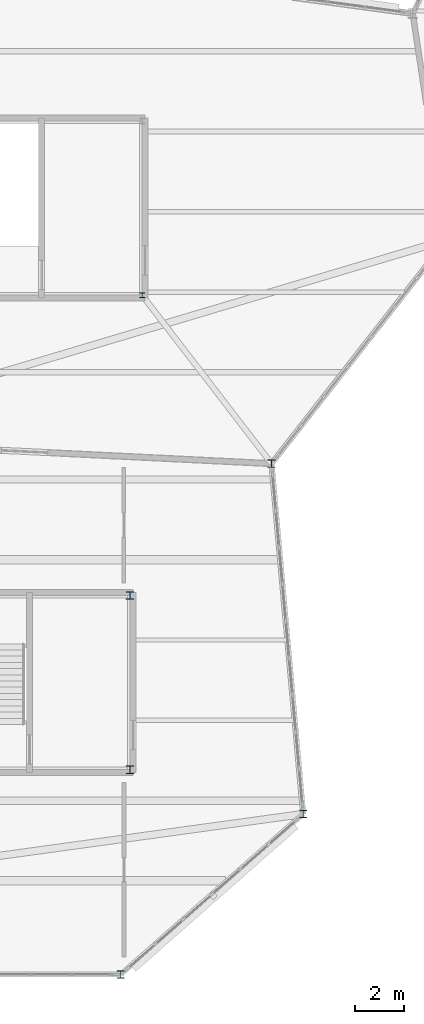
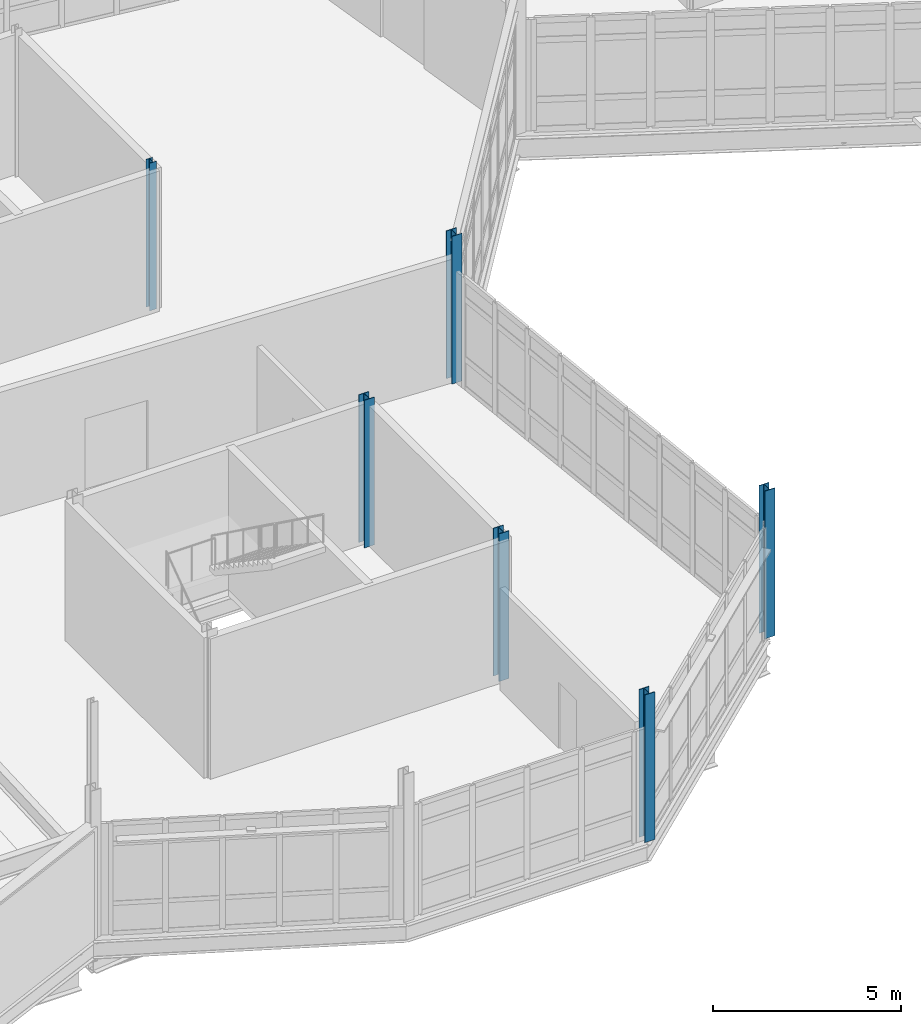
# One storey, part 4 of 134: 6 columns.
"""IFC4 building model written with IfcOpenShell, lengths in metres."""

from ifc_helpers import new_model, si_unit, direction, frame, origin, origin_2d, place, context, subcontext, project, spatial, i_section, extrude, material, material_profile, profile_set, type_object, element, save


model = new_model("IFC4")

# Units and contexts
model_context = context("Model", 3, precision=1e-05, world=origin(), true_north=direction((0.0, 1.0)))
body_context = subcontext(model_context, "Body", "Model", "MODEL_VIEW")
ifc_project = project(units=[si_unit("LENGTHUNIT", "METRE"), si_unit("AREAUNIT", "SQUARE_METRE"), si_unit("VOLUMEUNIT", "CUBIC_METRE"), si_unit("PLANEANGLEUNIT", "RADIAN"), si_unit("MASSUNIT", "GRAM", prefix="KILO")], contexts=[model_context])

# Site, building, storey
site_placement = place(None, origin())
site = spatial("IfcSite", under=ifc_project, at=site_placement, CompositionType="ELEMENT")
building_placement = place(site_placement, origin())
building = spatial("IfcBuilding", under=site, at=building_placement, Name="Tameran Prism Museum", CompositionType="ELEMENT")
storey_placement = place(building_placement, frame((0.0, 0.0, 5.39990234375)))
storey = spatial("IfcBuildingStorey", under=building, at=storey_placement, Name="L01", CompositionType="ELEMENT", Elevation=5.39990234375)

# Columns
ifc_material_1 = material(Name="Steel Grade 300PLUS (300 MPa)", Category="steel")
ifc_material_profile_1 = material_profile(ifc_material_1, i_section(OverallWidth=0.205078125, OverallDepth=0.2099609375, WebThickness=0.00927734375, FlangeThickness=0.01416015625, FilletRadius=0.01025390625, at=origin_2d()))
ifc_profile_set_1 = profile_set([ifc_material_profile_1])
column_type_1 = type_object("IfcColumnType", Name="COL-UC200", PredefinedType="COLUMN", material=ifc_profile_set_1)
column_placement = place(storey_placement, frame((38.47998046875, 27.919921875, 0.0), z_axis=(0.0, 0.0, 1.0), x_axis=(1.0, 0.0, 0.0)))
element("IfcColumn", 1, at=column_placement, inside=storey, type_object=column_type_1, Name="Column CC-12-2 L01", PredefinedType="COLUMN", context=body_context, shape_type="SweptSolid", body=[
    extrude(i_section(OverallWidth=0.205078125, OverallDepth=0.2099609375, WebThickness=0.00927734375, FlangeThickness=0.01416015625, FilletRadius=0.01025390625, at=origin_2d()), origin(), (0.0, 0.0, 1.0), 4.800048828125),
])
ifc_material_2 = material(Name="Steel Grade 300PLUS (300 MPa)", Category="steel")
ifc_material_profile_2 = material_profile(ifc_material_2, i_section(OverallWidth=0.306884765625, OverallDepth=0.31494140625, WebThickness=0.011962890625, FlangeThickness=0.018798828125, FilletRadius=0.0166015625, at=origin_2d()))
ifc_profile_set_2 = profile_set([ifc_material_profile_2])
column_type_2 = type_object("IfcColumnType", Name="COL-UC310C", PredefinedType="COLUMN", material=ifc_profile_set_2)
for number, where, z_axis, x_axis, name in (
    (2, (37.60009765625, 0.0, 0.0), (0.0, 0.0, 1.0), (1.0, 0.0, 0.0), "Column CV-21 L01"),
    (3, (43.800048828125, 21.0, 0.0), (0.0, 0.0, 1.0), (1.0, 0.0, 0.0), "Column CV-23 L01"),
    (4, (45.10009765625, 6.60009765625, 0.0), (0.0, 0.0, 1.0), (1.0, 0.0, 0.0), "Column CV-24 L01"),
    (5, (37.97998046875, 8.419921875, 0.0), (0.0, 0.0, 1.0), (1.0, 0.0, 0.0), "Column CC-6-2 L01"),
    (6, (37.97998046875, 15.580078125, 0.0), (0.0, 0.0, 1.0), (1.0, 0.0, 0.0), "Column CC-6-3 L01"),
):
    element("IfcColumn", number, at=place(storey_placement, frame(where, z_axis=z_axis, x_axis=x_axis)), inside=storey, type_object=column_type_2, Name=name, PredefinedType="COLUMN", context=body_context, shape_type="SweptSolid", body=[
        extrude(i_section(OverallWidth=0.306884765625, OverallDepth=0.31494140625, WebThickness=0.011962890625, FlangeThickness=0.018798828125, FilletRadius=0.0166015625, at=origin_2d()), origin(), (0.0, 0.0, 1.0), 4.800048828125),
    ])

save(model, "model.ifc")
